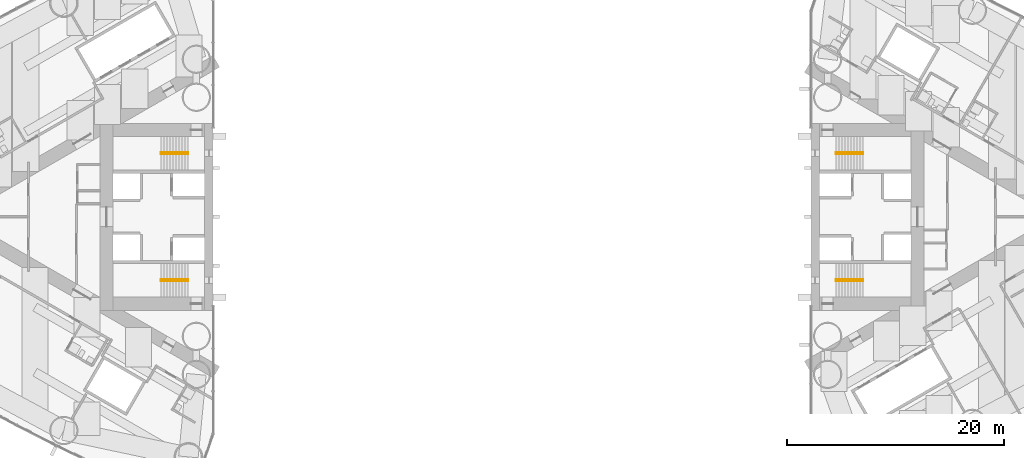
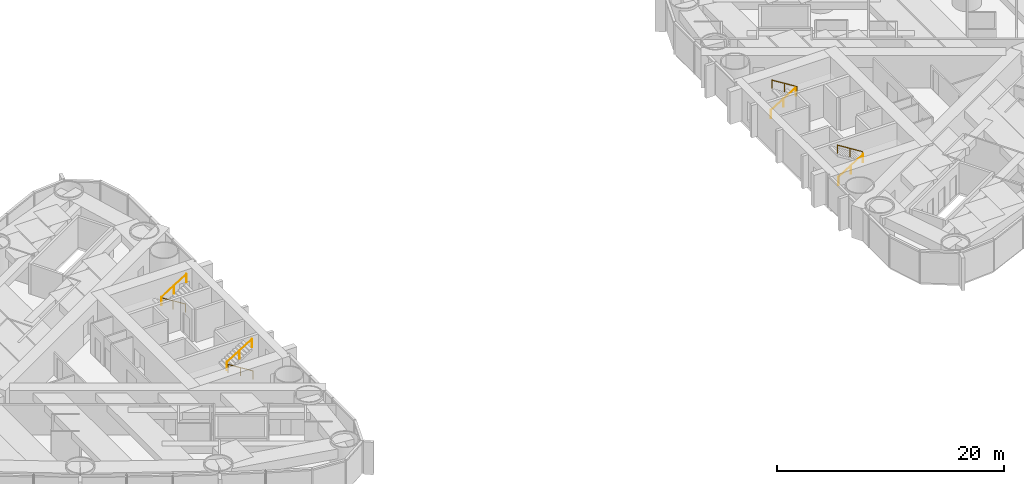
# One storey, part 17 of 18: 8 railings.
"""IFC4 building model written with IfcOpenShell, lengths in metres."""

from ifc_helpers import new_model, si_unit, direction, frame, origin, origin_2d, place, context, subcontext, project, spatial, circle, extrude, material, type_object, element, save


model = new_model("IFC4")

# Units and contexts
model_context = context("Model", 3, precision=1e-05, world=origin(), true_north=direction((0.0, 1.0)))
body_context = subcontext(model_context, "Body", "Model", "MODEL_VIEW")
ifc_project = project(units=[si_unit("LENGTHUNIT", "METRE"), si_unit("AREAUNIT", "SQUARE_METRE"), si_unit("VOLUMEUNIT", "CUBIC_METRE"), si_unit("PLANEANGLEUNIT", "RADIAN"), si_unit("MASSUNIT", "GRAM", prefix="KILO")], contexts=[model_context])

# Site, building, storey
site_placement = place(None, origin())
site = spatial("IfcSite", under=ifc_project, at=site_placement, CompositionType="ELEMENT")
building_placement = place(site_placement, origin())
building = spatial("IfcBuilding", under=site, at=building_placement, Name="Lancet Gate Hotel", CompositionType="ELEMENT")
storey_placement = place(building_placement, frame((0.0, 0.0, 125.60009765625)))
storey = spatial("IfcBuildingStorey", under=building, at=storey_placement, Name="L33", CompositionType="ELEMENT", Elevation=125.60009765625)

# Railings
ifc_material = material(Name="Stainless steel handrail", Category="steel")
railing_type = type_object("IfcRailingType", Name="Stair handrail 900", PredefinedType="HANDRAIL", material=ifc_material)
railing_1_placement = place(storey_placement, frame((-29.800048828125, 5.929931640625, 0.1748046875)))
element("IfcRailing", 1, at=railing_1_placement, inside=storey, type_object=railing_type, Name="ST1 handrail flight 1 L33", PredefinedType="HANDRAIL", context=body_context, shape_type="SweptSolid", body=[
    extrude(circle(Radius=0.02392578125, at=origin_2d()), frame((0.0, 0.0, 0.8759765625), z_axis=(-0.847970611238, 0.0, 0.530043245855), x_axis=(0.0, -1.0, 0.0)), (0.0, 0.0, 1.0), 2.971923828125),
    extrude(circle(Radius=0.02099609375, at=origin_2d()), origin(), (0.0, 0.0, 1.0), 0.851806640625),
    extrude(circle(Radius=0.02099609375, at=origin_2d()), frame((-1.260009765625, 0.0, 0.78759765625)), (0.0, 0.0, 1.0), 0.851806640625),
    extrude(circle(Radius=0.02099609375, at=origin_2d()), frame((-2.52001953125, 0.0, 1.5751953125)), (0.0, 0.0, 1.0), 0.851806640625),
])
railing_2_placement = place(storey_placement, frame((-32.320068359375, 5.77001953125, 1.9248046875)))
element("IfcRailing", 2, at=railing_2_placement, inside=storey, type_object=railing_type, Name="ST1 handrail flight 2 L33", PredefinedType="HANDRAIL", context=body_context, shape_type="SweptSolid", body=[
    extrude(circle(Radius=0.02392578125, at=origin_2d()), frame((0.0, 0.0, 0.8759765625), z_axis=(0.847970611238, 0.0, 0.530043245855), x_axis=(0.0, 1.0, 0.0)), (0.0, 0.0, 1.0), 2.971923828125),
    extrude(circle(Radius=0.02099609375, at=origin_2d()), origin(), (0.0, 0.0, 1.0), 0.851806640625),
    extrude(circle(Radius=0.02099609375, at=origin_2d()), frame((1.260009765625, 0.0, 0.78759765625)), (0.0, 0.0, 1.0), 0.851806640625),
    extrude(circle(Radius=0.02099609375, at=origin_2d()), frame((2.52001953125, 0.0, 1.5751953125)), (0.0, 0.0, 1.0), 0.851806640625),
])
railing_3_placement = place(storey_placement, frame((-29.800048828125, -5.929931640625, 0.1748046875)))
element("IfcRailing", 3, at=railing_3_placement, inside=storey, type_object=railing_type, Name="ST2 handrail flight 1 L33", PredefinedType="HANDRAIL", context=body_context, shape_type="SweptSolid", body=[
    extrude(circle(Radius=0.02392578125, at=origin_2d()), frame((0.0, 0.0, 0.8759765625), z_axis=(-0.847970611238, 0.0, 0.530043245855), x_axis=(0.0, -1.0, 0.0)), (0.0, 0.0, 1.0), 2.971923828125),
    extrude(circle(Radius=0.02099609375, at=origin_2d()), origin(), (0.0, 0.0, 1.0), 0.851806640625),
    extrude(circle(Radius=0.02099609375, at=origin_2d()), frame((-1.260009765625, 0.0, 0.78759765625)), (0.0, 0.0, 1.0), 0.851806640625),
    extrude(circle(Radius=0.02099609375, at=origin_2d()), frame((-2.52001953125, 0.0, 1.5751953125)), (0.0, 0.0, 1.0), 0.851806640625),
])
for number, where, name in (
    (4, (-32.320068359375, -5.77001953125, 1.9248046875), "ST2 handrail flight 2 L33"),
    (5, (29.800048828125, -5.929931640625, 0.1748046875), "ST3 handrail flight 1 L33"),
):
    element("IfcRailing", number, at=place(storey_placement, frame(where)), inside=storey, type_object=railing_type, Name=name, PredefinedType="HANDRAIL", context=body_context, shape_type="SweptSolid", body=[
        extrude(circle(Radius=0.02392578125, at=origin_2d()), frame((0.0, 0.0, 0.8759765625), z_axis=(0.847970611238, 0.0, 0.530043245855), x_axis=(0.0, 1.0, 0.0)), (0.0, 0.0, 1.0), 2.971923828125),
        extrude(circle(Radius=0.02099609375, at=origin_2d()), origin(), (0.0, 0.0, 1.0), 0.851806640625),
        extrude(circle(Radius=0.02099609375, at=origin_2d()), frame((1.260009765625, 0.0, 0.78759765625)), (0.0, 0.0, 1.0), 0.851806640625),
        extrude(circle(Radius=0.02099609375, at=origin_2d()), frame((2.52001953125, 0.0, 1.5751953125)), (0.0, 0.0, 1.0), 0.851806640625),
    ])
railing_4_placement = place(storey_placement, frame((32.320068359375, -5.77001953125, 1.9248046875)))
element("IfcRailing", 6, at=railing_4_placement, inside=storey, type_object=railing_type, Name="ST3 handrail flight 2 L33", PredefinedType="HANDRAIL", context=body_context, shape_type="SweptSolid", body=[
    extrude(circle(Radius=0.02392578125, at=origin_2d()), frame((0.0, 0.0, 0.8759765625), z_axis=(-0.847970611238, 0.0, 0.530043245855), x_axis=(0.0, -1.0, 0.0)), (0.0, 0.0, 1.0), 2.971923828125),
    extrude(circle(Radius=0.02099609375, at=origin_2d()), origin(), (0.0, 0.0, 1.0), 0.851806640625),
    extrude(circle(Radius=0.02099609375, at=origin_2d()), frame((-1.260009765625, 0.0, 0.78759765625)), (0.0, 0.0, 1.0), 0.851806640625),
    extrude(circle(Radius=0.02099609375, at=origin_2d()), frame((-2.52001953125, 0.0, 1.5751953125)), (0.0, 0.0, 1.0), 0.851806640625),
])
railing_5_placement = place(storey_placement, frame((29.800048828125, 5.929931640625, 0.1748046875)))
element("IfcRailing", 7, at=railing_5_placement, inside=storey, type_object=railing_type, Name="ST4 handrail flight 1 L33", PredefinedType="HANDRAIL", context=body_context, shape_type="SweptSolid", body=[
    extrude(circle(Radius=0.02392578125, at=origin_2d()), frame((0.0, 0.0, 0.8759765625), z_axis=(0.847970611238, 0.0, 0.530043245855), x_axis=(0.0, 1.0, 0.0)), (0.0, 0.0, 1.0), 2.971923828125),
    extrude(circle(Radius=0.02099609375, at=origin_2d()), origin(), (0.0, 0.0, 1.0), 0.851806640625),
    extrude(circle(Radius=0.02099609375, at=origin_2d()), frame((1.260009765625, 0.0, 0.78759765625)), (0.0, 0.0, 1.0), 0.851806640625),
    extrude(circle(Radius=0.02099609375, at=origin_2d()), frame((2.52001953125, 0.0, 1.5751953125)), (0.0, 0.0, 1.0), 0.851806640625),
])
railing_6_placement = place(storey_placement, frame((32.320068359375, 5.77001953125, 1.9248046875)))
element("IfcRailing", 8, at=railing_6_placement, inside=storey, type_object=railing_type, Name="ST4 handrail flight 2 L33", PredefinedType="HANDRAIL", context=body_context, shape_type="SweptSolid", body=[
    extrude(circle(Radius=0.02392578125, at=origin_2d()), frame((0.0, 0.0, 0.8759765625), z_axis=(-0.847970611238, 0.0, 0.530043245855), x_axis=(0.0, -1.0, 0.0)), (0.0, 0.0, 1.0), 2.971923828125),
    extrude(circle(Radius=0.02099609375, at=origin_2d()), origin(), (0.0, 0.0, 1.0), 0.851806640625),
    extrude(circle(Radius=0.02099609375, at=origin_2d()), frame((-1.260009765625, 0.0, 0.78759765625)), (0.0, 0.0, 1.0), 0.851806640625),
    extrude(circle(Radius=0.02099609375, at=origin_2d()), frame((-2.52001953125, 0.0, 1.5751953125)), (0.0, 0.0, 1.0), 0.851806640625),
])

save(model, "model.ifc")
